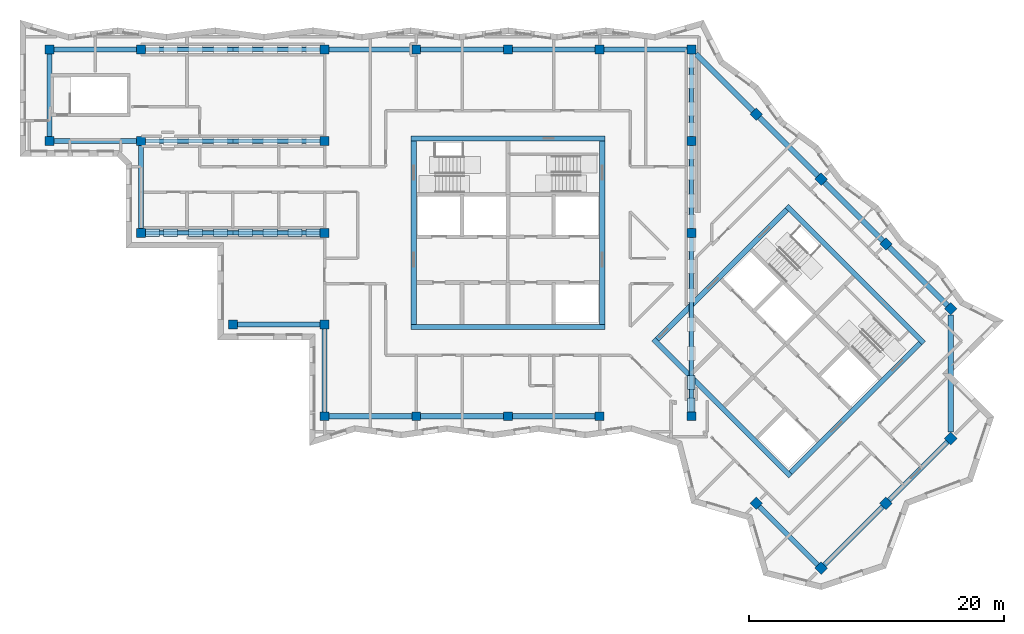
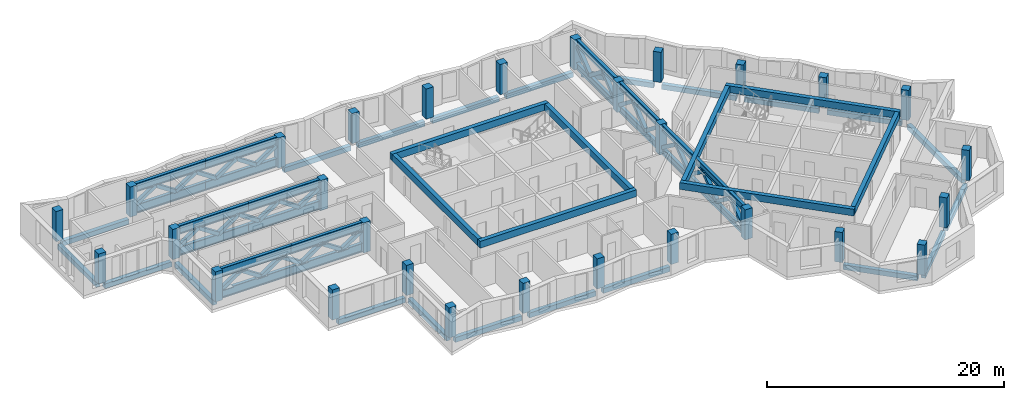
# One storey, part 1 of 12: 51 members, 29 beams, 29 columns, 10 plates.
"""IFC4 building model written with IfcOpenShell, lengths in metres."""

from ifc_helpers import new_model, si_unit, direction, frame, origin, origin_2d, place, context, subcontext, project, spatial, rectangle, hollow_rectangle, i_section, extrude, material, layer, layer_set, material_profile, profile_set, type_object, element, save


model = new_model("IFC4")

# Units and contexts
model_context = context("Model", 3, precision=1e-05, world=origin(), true_north=direction((0.0, 1.0)))
body_context = subcontext(model_context, "Body", "Model", "MODEL_VIEW")
ifc_project = project(units=[si_unit("LENGTHUNIT", "METRE"), si_unit("AREAUNIT", "SQUARE_METRE"), si_unit("VOLUMEUNIT", "CUBIC_METRE"), si_unit("PLANEANGLEUNIT", "RADIAN"), si_unit("MASSUNIT", "GRAM", prefix="KILO")], contexts=[model_context])

# Site, building, storey
site_placement = place(None, origin())
site = spatial("IfcSite", under=ifc_project, at=site_placement, CompositionType="ELEMENT")
building_placement = place(site_placement, origin())
building = spatial("IfcBuilding", under=site, at=building_placement, Name="Windrow Commons", CompositionType="ELEMENT")
storey_placement = place(building_placement, frame((0.0, 0.0, 267.6)))
storey = spatial("IfcBuildingStorey", under=building, at=storey_placement, Name="L73", CompositionType="ELEMENT", Elevation=267.6)

# Columns
ifc_material_1 = material(Name="Concrete C40/50", Category="concrete")
ifc_material_profile_1 = material_profile(ifc_material_1, rectangle(XDim=0.7, YDim=0.7, at=origin_2d()))
ifc_profile_set_1 = profile_set([ifc_material_profile_1], Name="Concrete C40/50")
column_type = type_object("IfcColumnType", Name="RC COLUMN 700x700 C40/50", PredefinedType="COLUMN", material=ifc_profile_set_1)
for number, where, z_axis, x_axis, name in (
    (1, (28.8, 64.8, 0.0), (0.0, 0.0, 1.0), (1.0, 0.0, 0.0), "C-Z5-05I"),
    (2, (28.8, 72.0, 0.0), (0.0, 0.0, 1.0), (1.0, 0.0, 0.0), "C-Z5-05J"),
    (3, (36.0, 57.6, 0.0), (0.0, 0.0, 1.0), (1.0, 0.0, 0.0), "C-Z5-06H"),
    (4, (36.0, 64.8, 0.0), (0.0, 0.0, 1.0), (1.0, 0.0, 0.0), "C-Z5-06I"),
    (5, (36.0, 72.0, 0.0), (0.0, 0.0, 1.0), (1.0, 0.0, 0.0), "C-Z5-06J"),
    (6, (43.2, 50.4, 0.0), (0.0, 0.0, 1.0), (1.0, 0.0, 0.0), "C-Z5-07G"),
    (7, (50.4, 43.2, 0.0), (0.0, 0.0, 1.0), (1.0, 0.0, 0.0), "C-Z5-08F"),
    (8, (50.4, 50.4, 0.0), (0.0, 0.0, 1.0), (1.0, 0.0, 0.0), "C-Z5-08G"),
    (9, (50.4, 57.6, 0.0), (0.0, 0.0, 1.0), (1.0, 0.0, 0.0), "C-Z5-08H"),
    (10, (50.4, 64.8, 0.0), (0.0, 0.0, 1.0), (1.0, 0.0, 0.0), "C-Z5-08I"),
    (11, (50.4, 72.0, 0.0), (0.0, 0.0, 1.0), (1.0, 0.0, 0.0), "C-Z5-08J"),
    (12, (57.6, 43.2, 0.0), (0.0, 0.0, 1.0), (1.0, 0.0, 0.0), "C-Z5-09F"),
    (13, (57.6, 72.0, 0.0), (0.0, 0.0, 1.0), (1.0, 0.0, 0.0), "C-Z5-09J"),
    (14, (64.8, 43.2, 0.0), (0.0, 0.0, 1.0), (1.0, 0.0, 0.0), "C-Z5-10F"),
    (15, (64.8, 72.0, 0.0), (0.0, 0.0, 1.0), (1.0, 0.0, 0.0), "C-Z5-10J"),
    (16, (72.0, 43.2, 0.0), (0.0, 0.0, 1.0), (1.0, 0.0, 0.0), "C-Z5-11F"),
    (17, (72.0, 72.0, 0.0), (0.0, 0.0, 1.0), (1.0, 0.0, 0.0), "C-Z5-11J"),
    (18, (79.2, 43.2, 0.0), (0.0, 0.0, 1.0), (1.0, 0.0, 0.0), "C-Z5-12F"),
    (19, (79.2, 57.6, 0.0), (0.0, 0.0, 1.0), (1.0, 0.0, 0.0), "C-Z5-12H"),
    (20, (79.2, 64.8, 0.0), (0.0, 0.0, 1.0), (1.0, 0.0, 0.0), "C-Z5-12I"),
    (21, (79.2, 72.0, 0.0), (0.0, 0.0, 1.0), (1.0, 0.0, 0.0), "C-Z5-12J"),
    (22, (84.2912, 66.9088, 0.0), (0.0, 0.0, 1.0), (0.7071067812, -0.7071067812, 0.0), "C-Z5-P2Q"),
    (23, (89.3823, 61.8177, 0.0), (0.0, 0.0, 1.0), (0.7071067812, -0.7071067812, 0.0), "C-Z5-P3Q"),
    (24, (94.4735, 56.7265, 0.0), (0.0, 0.0, 1.0), (0.7071067812, -0.7071067812, 0.0), "C-Z5-P4Q"),
    (25, (99.5647, 51.6353, 0.0), (0.0, 0.0, 1.0), (0.7071067812, -0.7071067812, 0.0), "C-Z5-P5Q"),
    (26, (84.2912, 36.3618, 0.0), (0.0, 0.0, 1.0), (0.7071067812, -0.7071067812, 0.0), "C-Z5-P5T"),
    (27, (99.5647, 41.453, 0.0), (0.0, 0.0, 1.0), (0.7071067812, -0.7071067812, 0.0), "C-Z5-P6R"),
    (28, (94.4735, 36.3618, 0.0), (0.0, 0.0, 1.0), (0.7071067812, -0.7071067812, 0.0), "C-Z5-P6S"),
    (29, (89.3823, 31.2706, 0.0), (0.0, 0.0, 1.0), (0.7071067812, -0.7071067812, 0.0), "C-Z5-P6T"),
):
    element("IfcColumn", number, at=place(storey_placement, frame(where, z_axis=z_axis, x_axis=x_axis)), inside=storey, type_object=column_type, Name=name, PredefinedType="COLUMN", context=body_context, shape_type="SweptSolid", body=[
        extrude(rectangle(XDim=0.7, YDim=0.7, at=origin_2d()), origin(), (0.0, 0.0, 1.0), 3.1),
    ])

# Beams
ifc_material_2 = material(Name="Concrete C40/50", Category="concrete")
ifc_material_profile_2 = material_profile(ifc_material_2, rectangle(XDim=0.4, YDim=0.7, at=origin_2d()))
ifc_profile_set_2 = profile_set([ifc_material_profile_2], Name="Concrete C40/50")
beam_type_1 = type_object("IfcBeamType", Name="RC COUPLING BEAM 400x700 C40/50", PredefinedType="LINTEL", material=ifc_profile_set_2)
for number, where, z_axis, x_axis, name in (
    (30, (57.2, 50.2, 2.75), (1.0, 0.0, 0.0), (0.0, 1.0, 0.0), "Core A coupling beam outer-S"),
    (31, (57.2, 65.0, 2.75), (1.0, 0.0, 0.0), (0.0, 1.0, 0.0), "Core A coupling beam outer-N"),
):
    element("IfcBeam", number, at=place(storey_placement, frame(where, z_axis=z_axis, x_axis=x_axis)), inside=storey, type_object=beam_type_1, Name=name, PredefinedType="LINTEL", context=body_context, shape_type="SweptSolid", body=[
        extrude(rectangle(XDim=0.4, YDim=0.7, at=origin_2d()), origin(), (0.0, 0.0, 1.0), 15.2),
    ])
for number, where, z_axis, x_axis, name in (
    (32, (57.4, 50.4, 2.75), (0.0, 1.0, 0.0), (-1.0, 0.0, 0.0), "Core A coupling beam outer-W"),
    (33, (72.2, 50.4, 2.75), (0.0, 1.0, 0.0), (-1.0, 0.0, 0.0), "Core A coupling beam outer-E"),
):
    element("IfcBeam", number, at=place(storey_placement, frame(where, z_axis=z_axis, x_axis=x_axis)), inside=storey, type_object=beam_type_1, Name=name, PredefinedType="LINTEL", context=body_context, shape_type="SweptSolid", body=[
        extrude(rectangle(XDim=0.4, YDim=0.7, at=origin_2d()), origin(), (0.0, 0.0, 1.0), 14.4),
    ])
for number, where, z_axis, x_axis, name in (
    (34, (76.2302, 49.2312, 2.75), (0.7071034917, -0.7071100706, 0.0), (0.7071100706, 0.7071034917, 0.0), "Core B coupling beam outer-S"),
    (35, (86.6953, 59.6963, 2.75), (0.7071100706, -0.7071034917, 0.0), (0.7071034917, 0.7071100706, 0.0), "Core B coupling beam outer-N"),
):
    element("IfcBeam", number, at=place(storey_placement, frame(where, z_axis=z_axis, x_axis=x_axis)), inside=storey, type_object=beam_type_1, Name=name, PredefinedType="LINTEL", context=body_context, shape_type="SweptSolid", body=[
        extrude(rectangle(XDim=0.4, YDim=0.7, at=origin_2d()), origin(), (0.0, 0.0, 1.0), 15.2),
    ])
for number, where, z_axis, x_axis, name in (
    (36, (76.513, 49.2312, 2.75), (0.7071067812, 0.7071067812, 0.0), (-0.7071067812, 0.7071067812, 0.0), "Core B coupling beam outer-W"),
    (37, (86.9782, 38.766, 2.75), (0.7071067812, 0.7071067812, 0.0), (-0.7071067812, 0.7071067812, 0.0), "Core B coupling beam outer-E"),
):
    element("IfcBeam", number, at=place(storey_placement, frame(where, z_axis=z_axis, x_axis=x_axis)), inside=storey, type_object=beam_type_1, Name=name, PredefinedType="LINTEL", context=body_context, shape_type="SweptSolid", body=[
        extrude(rectangle(XDim=0.4, YDim=0.7, at=origin_2d()), origin(), (0.0, 0.0, 1.0), 14.3999),
    ])
ifc_material_3 = material(Name="Concrete C40/50", Category="concrete")
ifc_material_profile_3 = material_profile(ifc_material_3, rectangle(XDim=0.4, YDim=0.5, at=origin_2d()))
ifc_profile_set_3 = profile_set([ifc_material_profile_3], Name="Concrete C40/50")
beam_type_2 = type_object("IfcBeamType", Name="RC EDGE BEAM 400x500 C40/50", PredefinedType="SPANDREL", material=ifc_profile_set_3)
for number, where, z_axis, x_axis, name in (
    (38, (57.25, 43.2, -0.55), (-1.0, 0.0, 0.0), (0.0, -1.0, 0.0), "Edge beam L73 001"),
    (39, (50.4, 43.55, -0.55), (0.0, 1.0, 0.0), (-1.0, 0.0, 0.0), "Edge beam L73 002"),
    (40, (50.05, 50.4, -0.55), (-1.0, 0.0, 0.0), (0.0, -1.0, 0.0), "Edge beam L73 003"),
    (41, (36.0, 57.95, -0.55), (0.0, 1.0, 0.0), (-1.0, 0.0, 0.0), "Edge beam L73 004"),
    (42, (35.65, 64.8, -0.55), (-1.0, 0.0, 0.0), (0.0, -1.0, 0.0), "Edge beam L73 005"),
    (43, (28.8, 65.15, -0.55), (0.0, 1.0, 0.0), (-1.0, 0.0, 0.0), "Edge beam L73 006"),
    (44, (29.15, 72.0, -0.55), (1.0, 0.0, 0.0), (0.0, 1.0, 0.0), "Edge beam L73 007"),
    (45, (50.75, 72.0, -0.55), (1.0, 0.0, 0.0), (0.0, 1.0, 0.0), "Edge beam L73 008"),
    (46, (57.95, 72.0, -0.55), (1.0, 0.0, 0.0), (0.0, 1.0, 0.0), "Edge beam L73 009"),
    (47, (65.15, 72.0, -0.55), (1.0, 0.0, 0.0), (0.0, 1.0, 0.0), "Edge beam L73 010"),
    (48, (72.35, 72.0, -0.55), (1.0, 0.0, 0.0), (0.0, 1.0, 0.0), "Edge beam L73 011"),
):
    element("IfcBeam", number, at=place(storey_placement, frame(where, z_axis=z_axis, x_axis=x_axis)), inside=storey, type_object=beam_type_2, Name=name, PredefinedType="SPANDREL", context=body_context, shape_type="SweptSolid", body=[
        extrude(rectangle(XDim=0.4, YDim=0.5, at=origin_2d()), origin(), (0.0, 0.0, 1.0), 6.5),
    ])
beam_1_placement = place(storey_placement, frame((79.55, 71.65, -0.55), z_axis=(0.7071067812, -0.7071067812, 0.0), x_axis=(0.7071067812, 0.7071067812, 0.0)))
element("IfcBeam", 49, at=beam_1_placement, inside=storey, type_object=beam_type_2, Name="Edge beam L73 012", PredefinedType="SPANDREL", context=body_context, shape_type="SweptSolid", body=[
    extrude(rectangle(XDim=0.4, YDim=0.5, at=origin_2d()), origin(), (0.0, 0.0, 1.0), 6.3551),
])
beam_2_placement = place(storey_placement, frame((84.5387, 66.6613, -0.55), z_axis=(0.7071067812, -0.7071067812, 0.0), x_axis=(0.7071067812, 0.7071067812, 0.0)))
element("IfcBeam", 50, at=beam_2_placement, inside=storey, type_object=beam_type_2, Name="Edge beam L73 013", PredefinedType="SPANDREL", context=body_context, shape_type="SweptSolid", body=[
    extrude(rectangle(XDim=0.4, YDim=0.5, at=origin_2d()), origin(), (0.0, 0.0, 1.0), 6.4999),
])
for number, where, z_axis, x_axis, name in (
    (51, (89.6298, 61.5702, -0.55), (0.7071067812, -0.7071067812, 0.0), (0.7071067812, 0.7071067812, 0.0), "Edge beam L73 014"),
    (52, (94.721, 56.479, -0.55), (0.7071067812, -0.7071067812, 0.0), (0.7071067812, 0.7071067812, 0.0), "Edge beam L73 015"),
):
    element("IfcBeam", number, at=place(storey_placement, frame(where, z_axis=z_axis, x_axis=x_axis)), inside=storey, type_object=beam_type_2, Name=name, PredefinedType="SPANDREL", context=body_context, shape_type="SweptSolid", body=[
        extrude(rectangle(XDim=0.4, YDim=0.5, at=origin_2d()), origin(), (0.0, 0.0, 1.0), 6.5),
    ])
beam_3_placement = place(storey_placement, frame((99.5647, 51.1403, -0.55), z_axis=(0.0, -1.0, 0.0), x_axis=(1.0, 0.0, 0.0)))
element("IfcBeam", 53, at=beam_3_placement, inside=storey, type_object=beam_type_2, Name="Edge beam L73 016", PredefinedType="SPANDREL", context=body_context, shape_type="SweptSolid", body=[
    extrude(rectangle(XDim=0.4, YDim=0.5, at=origin_2d()), origin(), (0.0, 0.0, 1.0), 9.1923),
])
for number, where, z_axis, x_axis, name in (
    (54, (99.3172, 41.2055, -0.55), (-0.7071067812, -0.7071067812, 0.0), (0.7071067812, -0.7071067812, 0.0), "Edge beam L73 017"),
    (55, (94.226, 36.1143, -0.55), (-0.7071067812, -0.7071067812, 0.0), (0.7071067812, -0.7071067812, 0.0), "Edge beam L73 018"),
):
    element("IfcBeam", number, at=place(storey_placement, frame(where, z_axis=z_axis, x_axis=x_axis)), inside=storey, type_object=beam_type_2, Name=name, PredefinedType="SPANDREL", context=body_context, shape_type="SweptSolid", body=[
        extrude(rectangle(XDim=0.4, YDim=0.5, at=origin_2d()), origin(), (0.0, 0.0, 1.0), 6.5),
    ])
beam_4_placement = place(storey_placement, frame((89.1348, 31.5181, -0.55), z_axis=(-0.7070990888, 0.7071144735, 0.0), x_axis=(-0.7071144735, -0.7070990888, 0.0)))
element("IfcBeam", 56, at=beam_4_placement, inside=storey, type_object=beam_type_2, Name="Edge beam L73 019", PredefinedType="SPANDREL", context=body_context, shape_type="SweptSolid", body=[
    extrude(rectangle(XDim=0.4, YDim=0.5, at=origin_2d()), origin(), (0.0, 0.0, 1.0), 6.4999),
])
for number, where, z_axis, x_axis, name in (
    (57, (71.65, 43.2, -0.55), (-1.0, 0.0, 0.0), (0.0, -1.0, 0.0), "Edge beam L73 020"),
    (58, (64.45, 43.2, -0.55), (-1.0, 0.0, 0.0), (0.0, -1.0, 0.0), "Edge beam L73 021"),
):
    element("IfcBeam", number, at=place(storey_placement, frame(where, z_axis=z_axis, x_axis=x_axis)), inside=storey, type_object=beam_type_2, Name=name, PredefinedType="SPANDREL", context=body_context, shape_type="SweptSolid", body=[
        extrude(rectangle(XDim=0.4, YDim=0.5, at=origin_2d()), origin(), (0.0, 0.0, 1.0), 6.5),
    ])

# Members
ifc_material_4 = material(Name="Steel S355", Category="steel")
ifc_material_profile_4 = material_profile(ifc_material_4, i_section(OverallWidth=0.3, OverallDepth=0.7, WebThickness=0.017, FlangeThickness=0.032, FilletRadius=0.027, at=origin_2d()))
ifc_profile_set_4 = profile_set([ifc_material_profile_4], Name="Steel S355")
member_type_1 = type_object("IfcMemberType", Name="STEEL TRANSFER CHORD HE700B S355", PredefinedType="CHORD", material=ifc_profile_set_4)
for number, where, z_axis, x_axis, name in (
    (59, (79.2, 43.55, 0.35), (0.0, 1.0, 0.0), (-1.0, 0.0, 0.0), "portal chord 1 bot"),
    (60, (79.2, 43.55, 2.75), (0.0, 1.0, 0.0), (-1.0, 0.0, 0.0), "portal chord 1 top"),
):
    element("IfcMember", number, at=place(storey_placement, frame(where, z_axis=z_axis, x_axis=x_axis)), inside=storey, type_object=member_type_1, Name=name, PredefinedType="CHORD", context=body_context, shape_type="SweptSolid", body=[
        extrude(i_section(OverallWidth=0.3, OverallDepth=0.7, WebThickness=0.017, FlangeThickness=0.032, FilletRadius=0.027, at=origin_2d()), origin(), (0.0, 0.0, 1.0), 13.7),
    ])
for number, where, z_axis, x_axis, name in (
    (61, (79.2, 57.95, 0.35), (0.0, 1.0, 0.0), (-1.0, 0.0, 0.0), "portal chord 2 bot"),
    (62, (79.2, 57.95, 2.75), (0.0, 1.0, 0.0), (-1.0, 0.0, 0.0), "portal chord 2 top"),
    (63, (79.2, 65.15, 0.35), (0.0, 1.0, 0.0), (-1.0, 0.0, 0.0), "portal chord 3 bot"),
    (64, (79.2, 65.15, 2.75), (0.0, 1.0, 0.0), (-1.0, 0.0, 0.0), "portal chord 3 top"),
):
    element("IfcMember", number, at=place(storey_placement, frame(where, z_axis=z_axis, x_axis=x_axis)), inside=storey, type_object=member_type_1, Name=name, PredefinedType="CHORD", context=body_context, shape_type="SweptSolid", body=[
        extrude(i_section(OverallWidth=0.3, OverallDepth=0.7, WebThickness=0.017, FlangeThickness=0.032, FilletRadius=0.027, at=origin_2d()), origin(), (0.0, 0.0, 1.0), 6.5),
    ])
ifc_material_5 = material(Name="Steel S355", Category="steel")
ifc_material_profile_5 = material_profile(ifc_material_5, i_section(OverallWidth=0.3, OverallDepth=0.9, WebThickness=0.0185, FlangeThickness=0.035, FilletRadius=0.03, at=origin_2d()))
ifc_profile_set_5 = profile_set([ifc_material_profile_5], Name="Steel S355")
member_type_2 = type_object("IfcMemberType", Name="STEEL TRANSFER CHORD HE900B S355", PredefinedType="CHORD", material=ifc_profile_set_5)
for number, where, z_axis, x_axis, name in (
    (65, (36.35, 57.6, 0.45), (1.0, 0.0, 0.0), (0.0, 1.0, 0.0), "portal-transfer-576 chord 1 bot 1"),
    (66, (43.2, 57.6, 0.45), (1.0, 0.0, 0.0), (0.0, 1.0, 0.0), "portal-transfer-576 chord 1 bot 2"),
    (67, (36.35, 57.6, 2.65), (1.0, 0.0, 0.0), (0.0, 1.0, 0.0), "portal-transfer-576 chord 1 top 1"),
    (68, (43.2, 57.6, 2.65), (1.0, 0.0, 0.0), (0.0, 1.0, 0.0), "portal-transfer-576 chord 1 top 2"),
    (69, (36.35, 64.8, 0.45), (1.0, 0.0, 0.0), (0.0, 1.0, 0.0), "portal-transfer-648 chord 1 bot 1"),
    (70, (43.2, 64.8, 0.45), (1.0, 0.0, 0.0), (0.0, 1.0, 0.0), "portal-transfer-648 chord 1 bot 2"),
    (71, (36.35, 64.8, 2.65), (1.0, 0.0, 0.0), (0.0, 1.0, 0.0), "portal-transfer-648 chord 1 top 1"),
    (72, (43.2, 64.8, 2.65), (1.0, 0.0, 0.0), (0.0, 1.0, 0.0), "portal-transfer-648 chord 1 top 2"),
    (73, (36.35, 72.0, 0.45), (1.0, 0.0, 0.0), (0.0, 1.0, 0.0), "portal-transfer-720 chord 1 bot 1"),
    (74, (43.2, 72.0, 0.45), (1.0, 0.0, 0.0), (0.0, 1.0, 0.0), "portal-transfer-720 chord 1 bot 2"),
    (75, (36.35, 72.0, 2.65), (1.0, 0.0, 0.0), (0.0, 1.0, 0.0), "portal-transfer-720 chord 1 top 1"),
    (76, (43.2, 72.0, 2.65), (1.0, 0.0, 0.0), (0.0, 1.0, 0.0), "portal-transfer-720 chord 1 top 2"),
):
    element("IfcMember", number, at=place(storey_placement, frame(where, z_axis=z_axis, x_axis=x_axis)), inside=storey, type_object=member_type_2, Name=name, PredefinedType="CHORD", context=body_context, shape_type="SweptSolid", body=[
        extrude(i_section(OverallWidth=0.3, OverallDepth=0.9, WebThickness=0.0185, FlangeThickness=0.035, FilletRadius=0.03, at=origin_2d()), origin(), (0.0, 0.0, 1.0), 6.85),
    ])
ifc_material_6 = material(Name="Steel S355", Category="steel")
ifc_material_profile_6 = material_profile(ifc_material_6, hollow_rectangle(XDim=0.35, YDim=0.35, WallThickness=0.02, at=origin_2d()))
ifc_profile_set_6 = profile_set([ifc_material_profile_6], Name="Steel S355")
member_type_3 = type_object("IfcMemberType", Name="STEEL TRANSFER DIAGONAL RHS350x350x20 S355", PredefinedType="BRACE", material=ifc_profile_set_6)
for number, where, z_axis, x_axis, name in (
    (77, (79.2, 43.55, 0.7), (0.0, 0.8020986032, 0.5971916198), (-1.0, 0.0, 0.0), "portal diagonal 1.1"),
    (78, (79.2, 45.8333, 2.4), (0.0, 0.802111131, -0.5971747931), (-1.0, 0.0, 0.0), "portal diagonal 1.2"),
    (79, (79.2, 48.1167, 0.7), (0.0, 0.8020986032, 0.5971916198), (-1.0, 0.0, 0.0), "portal diagonal 1.3"),
    (80, (79.2, 50.4, 2.4), (0.0, 0.8020986032, -0.5971916198), (-1.0, 0.0, 0.0), "portal diagonal 1.4"),
    (81, (79.2, 52.6833, 0.7), (0.0, 0.802111131, 0.5971747931), (-1.0, 0.0, 0.0), "portal diagonal 1.5"),
    (82, (79.2, 54.9667, 2.4), (0.0, 0.8020986032, -0.5971916198), (-1.0, 0.0, 0.0), "portal diagonal 1.6"),
):
    element("IfcMember", number, at=place(storey_placement, frame(where, z_axis=z_axis, x_axis=x_axis)), inside=storey, type_object=member_type_3, Name=name, PredefinedType="BRACE", context=body_context, shape_type="SweptSolid", body=[
        extrude(hollow_rectangle(XDim=0.35, YDim=0.35, WallThickness=0.02, at=origin_2d()), origin(), (0.0, 0.0, 1.0), 2.8467),
    ])
member_1_placement = place(storey_placement, frame((79.2, 57.95, 2.4), z_axis=(0.0, 0.78674277, -0.6172809845), x_axis=(-1.0, 0.0, 0.0)))
element("IfcMember", 83, at=member_1_placement, inside=storey, type_object=member_type_3, Name="portal diagonal 2.1", PredefinedType="BRACE", context=body_context, shape_type="SweptSolid", body=[
    extrude(hollow_rectangle(XDim=0.35, YDim=0.35, WallThickness=0.02, at=origin_2d()), origin(), (0.0, 0.0, 1.0), 2.754),
])
member_2_placement = place(storey_placement, frame((79.2, 60.1167, 0.7), z_axis=(0.0, 0.7867289338, 0.6172986188), x_axis=(-1.0, 0.0, 0.0)))
element("IfcMember", 84, at=member_2_placement, inside=storey, type_object=member_type_3, Name="portal diagonal 2.2", PredefinedType="BRACE", context=body_context, shape_type="SweptSolid", body=[
    extrude(hollow_rectangle(XDim=0.35, YDim=0.35, WallThickness=0.02, at=origin_2d()), origin(), (0.0, 0.0, 1.0), 2.7539),
])
for number, where, z_axis, x_axis, name in (
    (85, (79.2, 62.2833, 2.4), (0.0, 0.78674277, -0.6172809845), (-1.0, 0.0, 0.0), "portal diagonal 2.3"),
    (86, (79.2, 65.15, 0.7), (0.0, 0.78674277, 0.6172809845), (-1.0, 0.0, 0.0), "portal diagonal 3.1"),
):
    element("IfcMember", number, at=place(storey_placement, frame(where, z_axis=z_axis, x_axis=x_axis)), inside=storey, type_object=member_type_3, Name=name, PredefinedType="BRACE", context=body_context, shape_type="SweptSolid", body=[
        extrude(hollow_rectangle(XDim=0.35, YDim=0.35, WallThickness=0.02, at=origin_2d()), origin(), (0.0, 0.0, 1.0), 2.754),
    ])
member_3_placement = place(storey_placement, frame((79.2, 67.3167, 2.4), z_axis=(0.0, 0.7867289338, -0.6172986188), x_axis=(-1.0, 0.0, 0.0)))
element("IfcMember", 87, at=member_3_placement, inside=storey, type_object=member_type_3, Name="portal diagonal 3.2", PredefinedType="BRACE", context=body_context, shape_type="SweptSolid", body=[
    extrude(hollow_rectangle(XDim=0.35, YDim=0.35, WallThickness=0.02, at=origin_2d()), origin(), (0.0, 0.0, 1.0), 2.7539),
])
member_4_placement = place(storey_placement, frame((79.2, 69.4833, 0.7), z_axis=(0.0, 0.78674277, 0.6172809845), x_axis=(-1.0, 0.0, 0.0)))
element("IfcMember", 88, at=member_4_placement, inside=storey, type_object=member_type_3, Name="portal diagonal 3.3", PredefinedType="BRACE", context=body_context, shape_type="SweptSolid", body=[
    extrude(hollow_rectangle(XDim=0.35, YDim=0.35, WallThickness=0.02, at=origin_2d()), origin(), (0.0, 0.0, 1.0), 2.754),
])
member_5_placement = place(storey_placement, frame((36.35, 57.6, 0.9), z_axis=(0.8329789392, 0.0, 0.5533046962), x_axis=(0.0, 1.0, 0.0)))
element("IfcMember", 89, at=member_5_placement, inside=storey, type_object=member_type_3, Name="portal-transfer-576 diagonal 1.1", PredefinedType="BRACE", context=body_context, shape_type="SweptSolid", body=[
    extrude(hollow_rectangle(XDim=0.35, YDim=0.35, WallThickness=0.02, at=origin_2d()), origin(), (0.0, 0.0, 1.0), 2.3495),
])
member_6_placement = place(storey_placement, frame((38.3071, 57.6, 2.2), z_axis=(0.8329919687, 0.0, -0.5532850804), x_axis=(0.0, 1.0, 0.0)))
element("IfcMember", 90, at=member_6_placement, inside=storey, type_object=member_type_3, Name="portal-transfer-576 diagonal 1.2", PredefinedType="BRACE", context=body_context, shape_type="SweptSolid", body=[
    extrude(hollow_rectangle(XDim=0.35, YDim=0.35, WallThickness=0.02, at=origin_2d()), origin(), (0.0, 0.0, 1.0), 2.3496),
])
member_7_placement = place(storey_placement, frame((40.2643, 57.6, 0.9), z_axis=(0.8329789392, 0.0, 0.5533046962), x_axis=(0.0, 1.0, 0.0)))
element("IfcMember", 91, at=member_7_placement, inside=storey, type_object=member_type_3, Name="portal-transfer-576 diagonal 1.3", PredefinedType="BRACE", context=body_context, shape_type="SweptSolid", body=[
    extrude(hollow_rectangle(XDim=0.35, YDim=0.35, WallThickness=0.02, at=origin_2d()), origin(), (0.0, 0.0, 1.0), 2.3495),
])
member_8_placement = place(storey_placement, frame((42.2214, 57.6, 2.2), z_axis=(0.8329919687, 0.0, -0.5532850804), x_axis=(0.0, 1.0, 0.0)))
element("IfcMember", 92, at=member_8_placement, inside=storey, type_object=member_type_3, Name="portal-transfer-576 diagonal 1.4", PredefinedType="BRACE", context=body_context, shape_type="SweptSolid", body=[
    extrude(hollow_rectangle(XDim=0.35, YDim=0.35, WallThickness=0.02, at=origin_2d()), origin(), (0.0, 0.0, 1.0), 2.3496),
])
member_9_placement = place(storey_placement, frame((44.1786, 57.6, 0.9), z_axis=(0.8329789392, 0.0, 0.5533046962), x_axis=(0.0, 1.0, 0.0)))
element("IfcMember", 93, at=member_9_placement, inside=storey, type_object=member_type_3, Name="portal-transfer-576 diagonal 1.5", PredefinedType="BRACE", context=body_context, shape_type="SweptSolid", body=[
    extrude(hollow_rectangle(XDim=0.35, YDim=0.35, WallThickness=0.02, at=origin_2d()), origin(), (0.0, 0.0, 1.0), 2.3495),
])
member_10_placement = place(storey_placement, frame((46.1357, 57.6, 2.2), z_axis=(0.8329919687, 0.0, -0.5532850804), x_axis=(0.0, 1.0, 0.0)))
element("IfcMember", 94, at=member_10_placement, inside=storey, type_object=member_type_3, Name="portal-transfer-576 diagonal 1.6", PredefinedType="BRACE", context=body_context, shape_type="SweptSolid", body=[
    extrude(hollow_rectangle(XDim=0.35, YDim=0.35, WallThickness=0.02, at=origin_2d()), origin(), (0.0, 0.0, 1.0), 2.3496),
])
for number, where, z_axis, x_axis, name in (
    (95, (48.0929, 57.6, 0.9), (0.8329789392, 0.0, 0.5533046962), (0.0, 1.0, 0.0), "portal-transfer-576 diagonal 1.7"),
    (96, (36.35, 64.8, 0.9), (0.8329789392, 0.0, 0.5533046962), (0.0, 1.0, 0.0), "portal-transfer-648 diagonal 1.1"),
):
    element("IfcMember", number, at=place(storey_placement, frame(where, z_axis=z_axis, x_axis=x_axis)), inside=storey, type_object=member_type_3, Name=name, PredefinedType="BRACE", context=body_context, shape_type="SweptSolid", body=[
        extrude(hollow_rectangle(XDim=0.35, YDim=0.35, WallThickness=0.02, at=origin_2d()), origin(), (0.0, 0.0, 1.0), 2.3495),
    ])
member_11_placement = place(storey_placement, frame((38.3071, 64.8, 2.2), z_axis=(0.8329919687, 0.0, -0.5532850804), x_axis=(0.0, 1.0, 0.0)))
element("IfcMember", 97, at=member_11_placement, inside=storey, type_object=member_type_3, Name="portal-transfer-648 diagonal 1.2", PredefinedType="BRACE", context=body_context, shape_type="SweptSolid", body=[
    extrude(hollow_rectangle(XDim=0.35, YDim=0.35, WallThickness=0.02, at=origin_2d()), origin(), (0.0, 0.0, 1.0), 2.3496),
])
member_12_placement = place(storey_placement, frame((40.2643, 64.8, 0.9), z_axis=(0.8329789392, 0.0, 0.5533046962), x_axis=(0.0, 1.0, 0.0)))
element("IfcMember", 98, at=member_12_placement, inside=storey, type_object=member_type_3, Name="portal-transfer-648 diagonal 1.3", PredefinedType="BRACE", context=body_context, shape_type="SweptSolid", body=[
    extrude(hollow_rectangle(XDim=0.35, YDim=0.35, WallThickness=0.02, at=origin_2d()), origin(), (0.0, 0.0, 1.0), 2.3495),
])
member_13_placement = place(storey_placement, frame((42.2214, 64.8, 2.2), z_axis=(0.8329919687, 0.0, -0.5532850804), x_axis=(0.0, 1.0, 0.0)))
element("IfcMember", 99, at=member_13_placement, inside=storey, type_object=member_type_3, Name="portal-transfer-648 diagonal 1.4", PredefinedType="BRACE", context=body_context, shape_type="SweptSolid", body=[
    extrude(hollow_rectangle(XDim=0.35, YDim=0.35, WallThickness=0.02, at=origin_2d()), origin(), (0.0, 0.0, 1.0), 2.3496),
])
member_14_placement = place(storey_placement, frame((44.1786, 64.8, 0.9), z_axis=(0.8329789392, 0.0, 0.5533046962), x_axis=(0.0, 1.0, 0.0)))
element("IfcMember", 100, at=member_14_placement, inside=storey, type_object=member_type_3, Name="portal-transfer-648 diagonal 1.5", PredefinedType="BRACE", context=body_context, shape_type="SweptSolid", body=[
    extrude(hollow_rectangle(XDim=0.35, YDim=0.35, WallThickness=0.02, at=origin_2d()), origin(), (0.0, 0.0, 1.0), 2.3495),
])
member_15_placement = place(storey_placement, frame((46.1357, 64.8, 2.2), z_axis=(0.8329919687, 0.0, -0.5532850804), x_axis=(0.0, 1.0, 0.0)))
element("IfcMember", 101, at=member_15_placement, inside=storey, type_object=member_type_3, Name="portal-transfer-648 diagonal 1.6", PredefinedType="BRACE", context=body_context, shape_type="SweptSolid", body=[
    extrude(hollow_rectangle(XDim=0.35, YDim=0.35, WallThickness=0.02, at=origin_2d()), origin(), (0.0, 0.0, 1.0), 2.3496),
])
for number, where, z_axis, x_axis, name in (
    (102, (48.0929, 64.8, 0.9), (0.8329789392, 0.0, 0.5533046962), (0.0, 1.0, 0.0), "portal-transfer-648 diagonal 1.7"),
    (103, (36.35, 72.0, 0.9), (0.8329789392, 0.0, 0.5533046962), (0.0, 1.0, 0.0), "portal-transfer-720 diagonal 1.1"),
):
    element("IfcMember", number, at=place(storey_placement, frame(where, z_axis=z_axis, x_axis=x_axis)), inside=storey, type_object=member_type_3, Name=name, PredefinedType="BRACE", context=body_context, shape_type="SweptSolid", body=[
        extrude(hollow_rectangle(XDim=0.35, YDim=0.35, WallThickness=0.02, at=origin_2d()), origin(), (0.0, 0.0, 1.0), 2.3495),
    ])
member_16_placement = place(storey_placement, frame((38.3071, 72.0, 2.2), z_axis=(0.8329919687, 0.0, -0.5532850804), x_axis=(0.0, 1.0, 0.0)))
element("IfcMember", 104, at=member_16_placement, inside=storey, type_object=member_type_3, Name="portal-transfer-720 diagonal 1.2", PredefinedType="BRACE", context=body_context, shape_type="SweptSolid", body=[
    extrude(hollow_rectangle(XDim=0.35, YDim=0.35, WallThickness=0.02, at=origin_2d()), origin(), (0.0, 0.0, 1.0), 2.3496),
])
member_17_placement = place(storey_placement, frame((40.2643, 72.0, 0.9), z_axis=(0.8329789392, 0.0, 0.5533046962), x_axis=(0.0, 1.0, 0.0)))
element("IfcMember", 105, at=member_17_placement, inside=storey, type_object=member_type_3, Name="portal-transfer-720 diagonal 1.3", PredefinedType="BRACE", context=body_context, shape_type="SweptSolid", body=[
    extrude(hollow_rectangle(XDim=0.35, YDim=0.35, WallThickness=0.02, at=origin_2d()), origin(), (0.0, 0.0, 1.0), 2.3495),
])
member_18_placement = place(storey_placement, frame((42.2214, 72.0, 2.2), z_axis=(0.8329919687, 0.0, -0.5532850804), x_axis=(0.0, 1.0, 0.0)))
element("IfcMember", 106, at=member_18_placement, inside=storey, type_object=member_type_3, Name="portal-transfer-720 diagonal 1.4", PredefinedType="BRACE", context=body_context, shape_type="SweptSolid", body=[
    extrude(hollow_rectangle(XDim=0.35, YDim=0.35, WallThickness=0.02, at=origin_2d()), origin(), (0.0, 0.0, 1.0), 2.3496),
])
member_19_placement = place(storey_placement, frame((44.1786, 72.0, 0.9), z_axis=(0.8329789392, 0.0, 0.5533046962), x_axis=(0.0, 1.0, 0.0)))
element("IfcMember", 107, at=member_19_placement, inside=storey, type_object=member_type_3, Name="portal-transfer-720 diagonal 1.5", PredefinedType="BRACE", context=body_context, shape_type="SweptSolid", body=[
    extrude(hollow_rectangle(XDim=0.35, YDim=0.35, WallThickness=0.02, at=origin_2d()), origin(), (0.0, 0.0, 1.0), 2.3495),
])
member_20_placement = place(storey_placement, frame((46.1357, 72.0, 2.2), z_axis=(0.8329919687, 0.0, -0.5532850804), x_axis=(0.0, 1.0, 0.0)))
element("IfcMember", 108, at=member_20_placement, inside=storey, type_object=member_type_3, Name="portal-transfer-720 diagonal 1.6", PredefinedType="BRACE", context=body_context, shape_type="SweptSolid", body=[
    extrude(hollow_rectangle(XDim=0.35, YDim=0.35, WallThickness=0.02, at=origin_2d()), origin(), (0.0, 0.0, 1.0), 2.3496),
])
member_21_placement = place(storey_placement, frame((48.0929, 72.0, 0.9), z_axis=(0.8329789392, 0.0, 0.5533046962), x_axis=(0.0, 1.0, 0.0)))
element("IfcMember", 109, at=member_21_placement, inside=storey, type_object=member_type_3, Name="portal-transfer-720 diagonal 1.7", PredefinedType="BRACE", context=body_context, shape_type="SweptSolid", body=[
    extrude(hollow_rectangle(XDim=0.35, YDim=0.35, WallThickness=0.02, at=origin_2d()), origin(), (0.0, 0.0, 1.0), 2.3495),
])

# Plates
ifc_material_7 = material(Name="Steel S355", Category="steel")
ifc_layer = layer(ifc_material_7, 0.03)
ifc_layer_set = layer_set([ifc_layer], Name="GUSSET PLATE 30 S355")
plate_type = type_object("IfcPlateType", Name="GUSSET PLATE 30 S355", PredefinedType="USERDEFINED", material=ifc_layer_set)
for number, where, z_axis, x_axis, name in (
    (110, (79.2, 44.1, 0.7), (0.0, 0.0, 1.0), (0.0, 1.0, 0.0), "Gusset plate L73 portal 1"),
    (111, (79.2, 45.8333, 2.37), (0.0, 0.0, 1.0), (0.0, 1.0, 0.0), "Gusset plate L73 portal 2"),
    (112, (36.9, 57.6, 0.9), (0.0, 0.0, 1.0), (1.0, 0.0, 0.0), "Gusset plate L73 portal-transfer-576 1"),
    (113, (38.3071, 57.6, 2.17), (0.0, 0.0, 1.0), (1.0, 0.0, 0.0), "Gusset plate L73 portal-transfer-576 2"),
    (114, (40.2643, 57.6, 0.9), (0.0, 0.0, 1.0), (1.0, 0.0, 0.0), "Gusset plate L73 portal-transfer-576 3"),
    (115, (42.2214, 57.6, 2.17), (0.0, 0.0, 1.0), (1.0, 0.0, 0.0), "Gusset plate L73 portal-transfer-576 4"),
    (116, (44.1786, 57.6, 0.9), (0.0, 0.0, 1.0), (1.0, 0.0, 0.0), "Gusset plate L73 portal-transfer-576 5"),
    (117, (46.1357, 57.6, 2.17), (0.0, 0.0, 1.0), (1.0, 0.0, 0.0), "Gusset plate L73 portal-transfer-576 6"),
    (118, (48.0929, 57.6, 0.9), (0.0, 0.0, 1.0), (1.0, 0.0, 0.0), "Gusset plate L73 portal-transfer-576 7"),
    (119, (49.5, 57.6, 2.17), (0.0, 0.0, 1.0), (1.0, 0.0, 0.0), "Gusset plate L73 portal-transfer-576 8"),
):
    element("IfcPlate", number, at=place(storey_placement, frame(where, z_axis=z_axis, x_axis=x_axis)), inside=storey, type_object=plate_type, Name=name, ObjectType="GUSSET PLATE", PredefinedType="USERDEFINED", context=body_context, shape_type="SweptSolid", body=[
        extrude(rectangle(XDim=1.1, YDim=0.6, at=origin_2d()), origin(), (0.0, 0.0, 1.0), 0.03),
    ])

save(model, "model.ifc")
